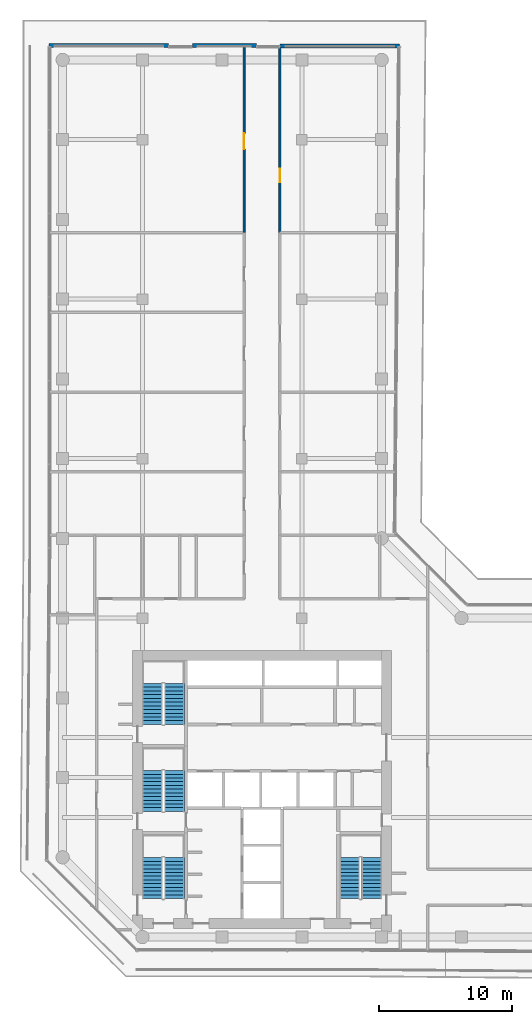
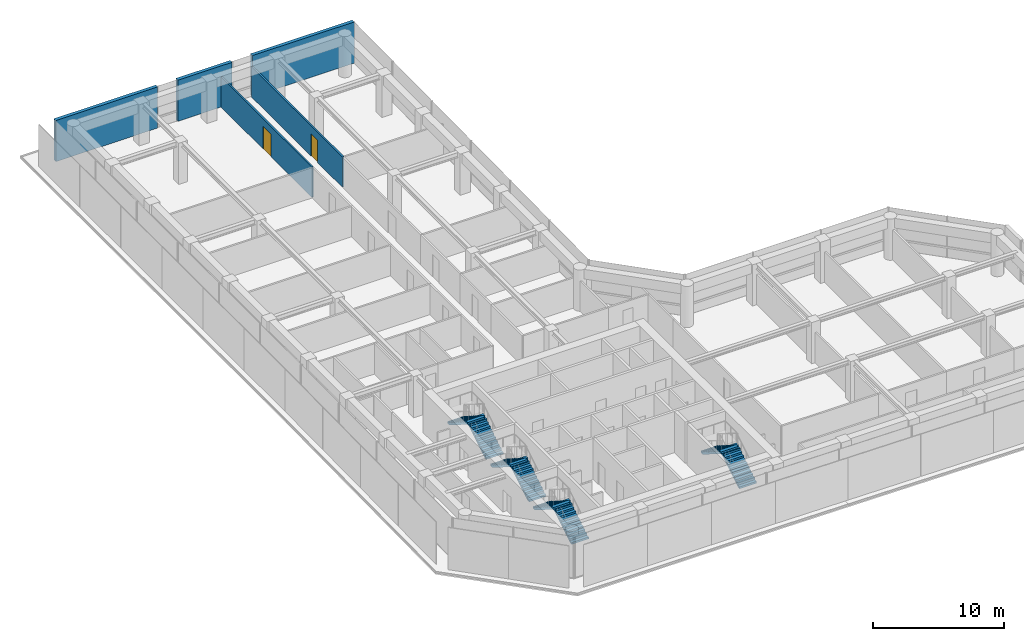
# One storey, part 21 of 23: 8 stair flights, 5 walls, 2 doors, 2 openings, 4 elements without a shape of their own.
"""IFC4 building model written with IfcOpenShell, lengths in metres."""

from ifc_helpers import new_model, si_unit, direction, frame, frame_2d, origin, place, context, subcontext, project, spatial, polyline, rectangle, outline, extrude, material, layer, layer_set, type_object, element, fill, aggregate, save


model = new_model("IFC4")

# Units and contexts
model_context = context("Model", 3, precision=1e-05, world=origin(), true_north=direction((0.0, 1.0)))
body_context = subcontext(model_context, "Body", "Model", "MODEL_VIEW")
ifc_project = project(units=[si_unit("LENGTHUNIT", "METRE"), si_unit("AREAUNIT", "SQUARE_METRE"), si_unit("VOLUMEUNIT", "CUBIC_METRE"), si_unit("PLANEANGLEUNIT", "RADIAN"), si_unit("MASSUNIT", "GRAM", prefix="KILO")], contexts=[model_context])

# Site, building, storey
site_placement = place(None, origin())
site = spatial("IfcSite", under=ifc_project, at=site_placement, CompositionType="ELEMENT")
building_placement = place(site_placement, origin())
building = spatial("IfcBuilding", under=site, at=building_placement, Name="Welwitschia Terrace Campus", CompositionType="ELEMENT")
storey_placement = place(building_placement, frame((0.0, 0.0, 113.0)))
storey = spatial("IfcBuildingStorey", under=building, at=storey_placement, Name="L25", CompositionType="ELEMENT", Elevation=113.0)

# Wall, opening, door
ifc_material_1 = material(Name="Gypsum board on steel studs", Category="steel")
ifc_layer_1 = layer(ifc_material_1, 0.14990234375)
ifc_layer_set_1 = layer_set([ifc_layer_1], Name="Gypsum board on steel studs")
wall_type_1 = type_object("IfcWallType", Name="Corridor partition 150 EI 30", PredefinedType="PARTITIONING", material=ifc_layer_set_1)
wall_1_placement = place(storey_placement, frame((13.64990234375, 57.0, 0.0), z_axis=(0.0, 0.0, 1.0), x_axis=(0.0, 1.0, 0.0)))
wall_1 = element("IfcWall", 1, at=wall_1_placement, inside=storey, type_object=wall_type_1, Name="Partition", PredefinedType="PARTITIONING", context=body_context, shape_type="SweptSolid", body=[
    extrude(rectangle(XDim=14.077880859375, YDim=0.14990234375, at=frame_2d((7.0390625, 0.0))), origin(), (0.0, 0.0, 1.0), 2.830078125),
])
opening_1_placement = place(wall_1_placement, frame((6.27001953125, 0.0, 0.0)))
opening_1 = element("IfcOpeningElement", 2, at=opening_1_placement, cuts=wall_1, Name="Opening DI12", PredefinedType="OPENING", context=body_context, shape_type="SweptSolid", body=[
    extrude(rectangle(XDim=1.199951171875, YDim=2.10009765625, at=frame_2d((0.60009765625, 1.050048828125))), frame((0.0, 0.0849609375, 0.0), z_axis=(0.0, -1.0, 0.0), x_axis=(1.0, 0.0, 0.0)), (0.0, 0.0, 1.0), 0.169921875),
])
ifc_material_2 = material(Name="Timber veneered door", Category="wood")
door_type_1 = type_object("IfcDoorType", Name="Interior door DI12", OperationType="NOTDEFINED", PredefinedType="DOOR", material=ifc_material_2)
door_1_placement = place(opening_1_placement, origin())
door_1 = element("IfcDoor", 3, at=door_1_placement, inside=storey, type_object=door_type_1, Name="Door L25 550", OperationType="SINGLE_SWING_LEFT", OverallHeight=2.10009765625, OverallWidth=1.199951171875, PredefinedType="DOOR", context=body_context, shape_type="SweptSolid", body=[
    extrude(rectangle(XDim=1.199951171875, YDim=2.10009765625, at=frame_2d((0.60009765625, 1.050048828125))), frame((0.0, 0.02490234375, 0.0), z_axis=(0.0, -1.0, 0.0), x_axis=(1.0, 0.0, 0.0)), (0.0, 0.0, 1.0), 0.050048828125),
])
fill(opening_1, door_1)

wall_2_placement = place(storey_placement, frame((16.35009765625, 70.95068359375, 0.0), z_axis=(0.0, 0.0, 1.0), x_axis=(0.0, -1.0, 0.0)))
wall_2 = element("IfcWall", 4, at=wall_2_placement, inside=storey, type_object=wall_type_1, Name="Partition", PredefinedType="PARTITIONING", context=body_context, shape_type="SweptSolid", body=[
    extrude(rectangle(XDim=13.95068359375, YDim=0.14990234375, at=frame_2d((6.975341796875, 0.0))), origin(), (0.0, 0.0, 1.0), 2.830078125),
])
opening_2_placement = place(wall_2_placement, frame((9.150634765625, 0.0, 0.0)))
opening_2 = element("IfcOpeningElement", 5, at=opening_2_placement, cuts=wall_2, Name="Opening DI10", PredefinedType="OPENING", context=body_context, shape_type="SweptSolid", body=[
    extrude(rectangle(XDim=1.0, YDim=2.10009765625, at=frame_2d((0.5, 1.050048828125))), frame((0.0, 0.0849609375, 0.0), z_axis=(0.0, -1.0, 0.0), x_axis=(1.0, 0.0, 0.0)), (0.0, 0.0, 1.0), 0.169921875),
])
ifc_material_3 = material(Name="Timber veneered door", Category="wood")
door_type_2 = type_object("IfcDoorType", Name="Interior door DI10", OperationType="NOTDEFINED", PredefinedType="DOOR", material=ifc_material_3)
door_2_placement = place(opening_2_placement, origin())
door_2 = element("IfcDoor", 6, at=door_2_placement, inside=storey, type_object=door_type_2, Name="Door L25 554", OperationType="SINGLE_SWING_LEFT", OverallHeight=2.10009765625, OverallWidth=1.0, PredefinedType="DOOR", context=body_context, shape_type="SweptSolid", body=[
    extrude(rectangle(XDim=1.0, YDim=2.10009765625, at=frame_2d((0.5, 1.050048828125))), frame((0.0, 0.02490234375, 0.0), z_axis=(0.0, -1.0, 0.0), x_axis=(1.0, 0.0, 0.0)), (0.0, 0.0, 1.0), 0.050048828125),
])
fill(opening_2, door_2)

# Walls
ifc_material_4 = material(Name="Concrete C40/50", Category="concrete")
ifc_layer_2 = layer(ifc_material_4, 0.300048828125)
ifc_layer_set_2 = layer_set([ifc_layer_2], Name="Concrete C40/50")
wall_type_2 = type_object("IfcWallType", Name="Mass wall 300", PredefinedType="SOLIDWALL", material=ifc_layer_set_2)
wall_3_placement = place(storey_placement, frame((25.360107421875, 71.056396484375, 0.0), z_axis=(0.0, 0.0, 1.0), x_axis=(-0.999999668576, 0.00081415518, 0.0)))
element("IfcWall", 7, at=wall_3_placement, inside=storey, type_object=wall_type_2, Name="Mass wall L25.0.0", PredefinedType="SOLIDWALL", context=body_context, shape_type="SweptSolid", body=[
    extrude(rectangle(XDim=8.99609375, YDim=0.300048828125, at=frame_2d((4.498046875, 0.0))), origin(), (0.0, 0.0, 1.0), 3.85009765625),
])
wall_4_placement = place(storey_placement, frame((14.56396484375, 71.067138671875, 0.0), z_axis=(0.0, 0.0, 1.0), x_axis=(-0.999999668533, 0.000814207658, 0.0)))
element("IfcWall", 8, at=wall_4_placement, inside=storey, type_object=wall_type_2, Name="Mass wall L25.0.1", PredefinedType="SOLIDWALL", context=body_context, shape_type="SweptSolid", body=[
    extrude(rectangle(XDim=4.797607421875, YDim=0.300048828125, at=frame_2d((2.39892578125, 0.0))), origin(), (0.0, 0.0, 1.0), 3.85009765625),
])
wall_5_placement = place(storey_placement, frame((7.96630859375, 71.07080078125, 0.0), z_axis=(0.0, 0.0, 1.0), x_axis=(-0.999999668594, 0.000814133085, 0.0)))
element("IfcWall", 9, at=wall_5_placement, inside=storey, type_object=wall_type_2, Name="Mass wall L25.0.2", PredefinedType="SOLIDWALL", context=body_context, shape_type="SweptSolid", body=[
    extrude(rectangle(XDim=8.996337890625, YDim=0.300048828125, at=frame_2d((4.498046875, 0.0))), origin(), (0.0, 0.0, 1.0), 3.85009765625),
])

# Stair, stair flights
ifc_material_5 = material(Name="Concrete C40/50", Category="concrete")
stair_type = type_object("IfcStairType", Name="Stair 24R 175 W1500", PredefinedType="HALF_TURN_STAIR", material=ifc_material_5)
stair_1_placement = place(storey_placement, origin())
stair_1 = element("IfcStair", 10, at=stair_1_placement, inside=storey, type_object=stair_type, Name="L25 Exit stair S1", PredefinedType="HALF_TURN_STAIR")
ifc_material_6 = material(Name="Concrete C40/50", Category="concrete")
stair_flight_type = type_object("IfcStairFlightType", Name="Stair flight 24R 175 W1500", PredefinedType="STRAIGHT", material=ifc_material_6)
stair_flight_1_placement = place(storey_placement, frame((8.39990234375, 6.89990234375, 0.0), z_axis=(0.0, 0.0, 1.0), x_axis=(0.0, 1.0, 0.0)))
stair_flight_1 = element("IfcStairFlight", 11, at=stair_flight_1_placement, type_object=stair_flight_type, Name="S1 flight 1", NumberOfRisers=12, NumberOfTreads=11, PredefinedType="STRAIGHT", RiserHeight=0.175, TreadLength=0.28, context=body_context, shape_type="SweptSolid", body=[
    extrude(outline(polyline([(0.0, 0.0), (0.0, 0.175048828125), (0.280029296875, 0.175048828125), (0.280029296875, 0.35009765625), (0.56005859375, 0.35009765625), (0.56005859375, 0.52490234375), (0.840087890625, 0.52490234375), (0.840087890625, 0.699951171875), (1.1201171875, 0.699951171875), (1.1201171875, 0.875), (1.39990234375, 0.875), (1.39990234375, 1.050048828125), (1.679931640625, 1.050048828125), (1.679931640625, 1.22509765625), (1.9599609375, 1.22509765625), (1.9599609375, 1.39990234375), (2.239990234375, 1.39990234375), (2.239990234375, 1.574951171875), (2.52001953125, 1.574951171875), (2.52001953125, 1.75), (2.800048828125, 1.75), (2.800048828125, 1.925048828125), (3.080078125, 1.925048828125), (3.080078125, 2.10009765625), (3.080078125, 1.748291015625), (0.28271484375, 0.0), (0.0, 0.0)])), frame((0.0, 0.75, 0.0), z_axis=(0.0, -1.0, 0.0), x_axis=(1.0, 0.0, 0.0)), (0.0, 0.0, 1.0), 1.5),
])
stair_flight_2_placement = place(storey_placement, frame((6.75, 9.97998046875, 2.10009765625), z_axis=(0.0, 0.0, 1.0), x_axis=(0.0, -1.0, 0.0)))
stair_flight_2 = element("IfcStairFlight", 12, at=stair_flight_2_placement, type_object=stair_flight_type, Name="S1 flight 2", NumberOfRisers=12, NumberOfTreads=11, PredefinedType="STRAIGHT", RiserHeight=0.175, TreadLength=0.28, context=body_context, shape_type="SweptSolid", body=[
    extrude(outline(polyline([(0.0, 0.0), (0.0, 0.175048828125), (0.280029296875, 0.175048828125), (0.280029296875, 0.35009765625), (0.56005859375, 0.35009765625), (0.56005859375, 0.52490234375), (0.840087890625, 0.52490234375), (0.840087890625, 0.699951171875), (1.1201171875, 0.699951171875), (1.1201171875, 0.875), (1.39990234375, 0.875), (1.39990234375, 1.050048828125), (1.679931640625, 1.050048828125), (1.679931640625, 1.22509765625), (1.9599609375, 1.22509765625), (1.9599609375, 1.39990234375), (2.239990234375, 1.39990234375), (2.239990234375, 1.574951171875), (2.52001953125, 1.574951171875), (2.52001953125, 1.75), (2.800048828125, 1.75), (2.800048828125, 1.925048828125), (3.080078125, 1.925048828125), (3.080078125, 2.10009765625), (3.080078125, 1.748291015625), (0.28271484375, 0.0), (0.0, 0.0)])), frame((0.0, 0.75, 0.0), z_axis=(0.0, -1.0, 0.0), x_axis=(1.0, 0.0, 0.0)), (0.0, 0.0, 1.0), 1.5),
])
aggregate(stair_1, [stair_flight_1, stair_flight_2])

stair_2_placement = place(storey_placement, origin())
stair_2 = element("IfcStair", 13, at=stair_2_placement, inside=storey, type_object=stair_type, Name="L25 Exit stair S3", PredefinedType="HALF_TURN_STAIR")
stair_flight_3_placement = place(storey_placement, frame((8.39990234375, 13.449951171875, 0.0), z_axis=(0.0, 0.0, 1.0), x_axis=(0.0, 1.0, 0.0)))
stair_flight_3 = element("IfcStairFlight", 14, at=stair_flight_3_placement, type_object=stair_flight_type, Name="S3 flight 1", NumberOfRisers=12, NumberOfTreads=11, PredefinedType="STRAIGHT", RiserHeight=0.175, TreadLength=0.28, context=body_context, shape_type="SweptSolid", body=[
    extrude(outline(polyline([(0.0, 0.0), (0.0, 0.175048828125), (0.280029296875, 0.175048828125), (0.280029296875, 0.35009765625), (0.56005859375, 0.35009765625), (0.56005859375, 0.52490234375), (0.840087890625, 0.52490234375), (0.840087890625, 0.699951171875), (1.1201171875, 0.699951171875), (1.1201171875, 0.875), (1.39990234375, 0.875), (1.39990234375, 1.050048828125), (1.679931640625, 1.050048828125), (1.679931640625, 1.22509765625), (1.9599609375, 1.22509765625), (1.9599609375, 1.39990234375), (2.239990234375, 1.39990234375), (2.239990234375, 1.574951171875), (2.52001953125, 1.574951171875), (2.52001953125, 1.75), (2.800048828125, 1.75), (2.800048828125, 1.925048828125), (3.080078125, 1.925048828125), (3.080078125, 2.10009765625), (3.080078125, 1.748291015625), (0.28271484375, 0.0), (0.0, 0.0)])), frame((0.0, 0.75, 0.0), z_axis=(0.0, -1.0, 0.0), x_axis=(1.0, 0.0, 0.0)), (0.0, 0.0, 1.0), 1.5),
])
stair_flight_4_placement = place(storey_placement, frame((6.75, 16.530029296875, 2.10009765625), z_axis=(0.0, 0.0, 1.0), x_axis=(0.0, -1.0, 0.0)))
stair_flight_4 = element("IfcStairFlight", 15, at=stair_flight_4_placement, type_object=stair_flight_type, Name="S3 flight 2", NumberOfRisers=12, NumberOfTreads=11, PredefinedType="STRAIGHT", RiserHeight=0.175, TreadLength=0.28, context=body_context, shape_type="SweptSolid", body=[
    extrude(outline(polyline([(0.0, 0.0), (0.0, 0.175048828125), (0.280029296875, 0.175048828125), (0.280029296875, 0.35009765625), (0.56005859375, 0.35009765625), (0.56005859375, 0.52490234375), (0.840087890625, 0.52490234375), (0.840087890625, 0.699951171875), (1.1201171875, 0.699951171875), (1.1201171875, 0.875), (1.39990234375, 0.875), (1.39990234375, 1.050048828125), (1.679931640625, 1.050048828125), (1.679931640625, 1.22509765625), (1.9599609375, 1.22509765625), (1.9599609375, 1.39990234375), (2.239990234375, 1.39990234375), (2.239990234375, 1.574951171875), (2.52001953125, 1.574951171875), (2.52001953125, 1.75), (2.800048828125, 1.75), (2.800048828125, 1.925048828125), (3.080078125, 1.925048828125), (3.080078125, 2.10009765625), (3.080078125, 1.748291015625), (0.28271484375, 0.0), (0.0, 0.0)])), frame((0.0, 0.75, 0.0), z_axis=(0.0, -1.0, 0.0), x_axis=(1.0, 0.0, 0.0)), (0.0, 0.0, 1.0), 1.5),
])
aggregate(stair_2, [stair_flight_3, stair_flight_4])

stair_3_placement = place(storey_placement, origin())
stair_3 = element("IfcStair", 16, at=stair_3_placement, inside=storey, type_object=stair_type, Name="L25 Exit stair S4", PredefinedType="HALF_TURN_STAIR")
stair_flight_5_placement = place(storey_placement, frame((8.39990234375, 20.0, 0.0), z_axis=(0.0, 0.0, 1.0), x_axis=(0.0, 1.0, 0.0)))
stair_flight_5 = element("IfcStairFlight", 17, at=stair_flight_5_placement, type_object=stair_flight_type, Name="S4 flight 1", NumberOfRisers=12, NumberOfTreads=11, PredefinedType="STRAIGHT", RiserHeight=0.175, TreadLength=0.28, context=body_context, shape_type="SweptSolid", body=[
    extrude(outline(polyline([(0.0, 0.0), (0.0, 0.175048828125), (0.280029296875, 0.175048828125), (0.280029296875, 0.35009765625), (0.56005859375, 0.35009765625), (0.56005859375, 0.52490234375), (0.840087890625, 0.52490234375), (0.840087890625, 0.699951171875), (1.1201171875, 0.699951171875), (1.1201171875, 0.875), (1.39990234375, 0.875), (1.39990234375, 1.050048828125), (1.679931640625, 1.050048828125), (1.679931640625, 1.22509765625), (1.9599609375, 1.22509765625), (1.9599609375, 1.39990234375), (2.239990234375, 1.39990234375), (2.239990234375, 1.574951171875), (2.52001953125, 1.574951171875), (2.52001953125, 1.75), (2.800048828125, 1.75), (2.800048828125, 1.925048828125), (3.080078125, 1.925048828125), (3.080078125, 2.10009765625), (3.080078125, 1.748291015625), (0.28271484375, 0.0), (0.0, 0.0)])), frame((0.0, 0.75, 0.0), z_axis=(0.0, -1.0, 0.0), x_axis=(1.0, 0.0, 0.0)), (0.0, 0.0, 1.0), 1.5),
])
stair_flight_6_placement = place(storey_placement, frame((6.75, 23.080078125, 2.10009765625), z_axis=(0.0, 0.0, 1.0), x_axis=(0.0, -1.0, 0.0)))
stair_flight_6 = element("IfcStairFlight", 18, at=stair_flight_6_placement, type_object=stair_flight_type, Name="S4 flight 2", NumberOfRisers=12, NumberOfTreads=11, PredefinedType="STRAIGHT", RiserHeight=0.175, TreadLength=0.28, context=body_context, shape_type="SweptSolid", body=[
    extrude(outline(polyline([(0.0, 0.0), (0.0, 0.175048828125), (0.280029296875, 0.175048828125), (0.280029296875, 0.35009765625), (0.56005859375, 0.35009765625), (0.56005859375, 0.52490234375), (0.840087890625, 0.52490234375), (0.840087890625, 0.699951171875), (1.1201171875, 0.699951171875), (1.1201171875, 0.875), (1.39990234375, 0.875), (1.39990234375, 1.050048828125), (1.679931640625, 1.050048828125), (1.679931640625, 1.22509765625), (1.9599609375, 1.22509765625), (1.9599609375, 1.39990234375), (2.239990234375, 1.39990234375), (2.239990234375, 1.574951171875), (2.52001953125, 1.574951171875), (2.52001953125, 1.75), (2.800048828125, 1.75), (2.800048828125, 1.925048828125), (3.080078125, 1.925048828125), (3.080078125, 2.10009765625), (3.080078125, 1.748291015625), (0.28271484375, 0.0), (0.0, 0.0)])), frame((0.0, 0.75, 0.0), z_axis=(0.0, -1.0, 0.0), x_axis=(1.0, 0.0, 0.0)), (0.0, 0.0, 1.0), 1.5),
])
aggregate(stair_3, [stair_flight_5, stair_flight_6])

stair_4_placement = place(storey_placement, origin())
stair_4 = element("IfcStair", 19, at=stair_4_placement, inside=storey, type_object=stair_type, Name="L25 Exit stair S2", PredefinedType="HALF_TURN_STAIR")
stair_flight_7_placement = place(storey_placement, frame((23.25, 6.89990234375, 0.0), z_axis=(0.0, 0.0, 1.0), x_axis=(0.0, 1.0, 0.0)))
stair_flight_7 = element("IfcStairFlight", 20, at=stair_flight_7_placement, type_object=stair_flight_type, Name="S2 flight 1", NumberOfRisers=12, NumberOfTreads=11, PredefinedType="STRAIGHT", RiserHeight=0.175, TreadLength=0.28, context=body_context, shape_type="SweptSolid", body=[
    extrude(outline(polyline([(0.0, 0.0), (0.0, 0.175048828125), (0.280029296875, 0.175048828125), (0.280029296875, 0.35009765625), (0.56005859375, 0.35009765625), (0.56005859375, 0.52490234375), (0.840087890625, 0.52490234375), (0.840087890625, 0.699951171875), (1.1201171875, 0.699951171875), (1.1201171875, 0.875), (1.39990234375, 0.875), (1.39990234375, 1.050048828125), (1.679931640625, 1.050048828125), (1.679931640625, 1.22509765625), (1.9599609375, 1.22509765625), (1.9599609375, 1.39990234375), (2.239990234375, 1.39990234375), (2.239990234375, 1.574951171875), (2.52001953125, 1.574951171875), (2.52001953125, 1.75), (2.800048828125, 1.75), (2.800048828125, 1.925048828125), (3.080078125, 1.925048828125), (3.080078125, 2.10009765625), (3.080078125, 1.748291015625), (0.28271484375, 0.0), (0.0, 0.0)])), frame((0.0, 0.75, 0.0), z_axis=(0.0, -1.0, 0.0), x_axis=(1.0, 0.0, 0.0)), (0.0, 0.0, 1.0), 1.5),
])
stair_flight_8_placement = place(storey_placement, frame((21.60009765625, 9.97998046875, 2.10009765625), z_axis=(0.0, 0.0, 1.0), x_axis=(0.0, -1.0, 0.0)))
stair_flight_8 = element("IfcStairFlight", 21, at=stair_flight_8_placement, type_object=stair_flight_type, Name="S2 flight 2", NumberOfRisers=12, NumberOfTreads=11, PredefinedType="STRAIGHT", RiserHeight=0.175, TreadLength=0.28, context=body_context, shape_type="SweptSolid", body=[
    extrude(outline(polyline([(0.0, 0.0), (0.0, 0.175048828125), (0.280029296875, 0.175048828125), (0.280029296875, 0.35009765625), (0.56005859375, 0.35009765625), (0.56005859375, 0.52490234375), (0.840087890625, 0.52490234375), (0.840087890625, 0.699951171875), (1.1201171875, 0.699951171875), (1.1201171875, 0.875), (1.39990234375, 0.875), (1.39990234375, 1.050048828125), (1.679931640625, 1.050048828125), (1.679931640625, 1.22509765625), (1.9599609375, 1.22509765625), (1.9599609375, 1.39990234375), (2.239990234375, 1.39990234375), (2.239990234375, 1.574951171875), (2.52001953125, 1.574951171875), (2.52001953125, 1.75), (2.800048828125, 1.75), (2.800048828125, 1.925048828125), (3.080078125, 1.925048828125), (3.080078125, 2.10009765625), (3.080078125, 1.748291015625), (0.28271484375, 0.0), (0.0, 0.0)])), frame((0.0, 0.75, 0.0), z_axis=(0.0, -1.0, 0.0), x_axis=(1.0, 0.0, 0.0)), (0.0, 0.0, 1.0), 1.5),
])
aggregate(stair_4, [stair_flight_7, stair_flight_8])

save(model, "model.ifc")
